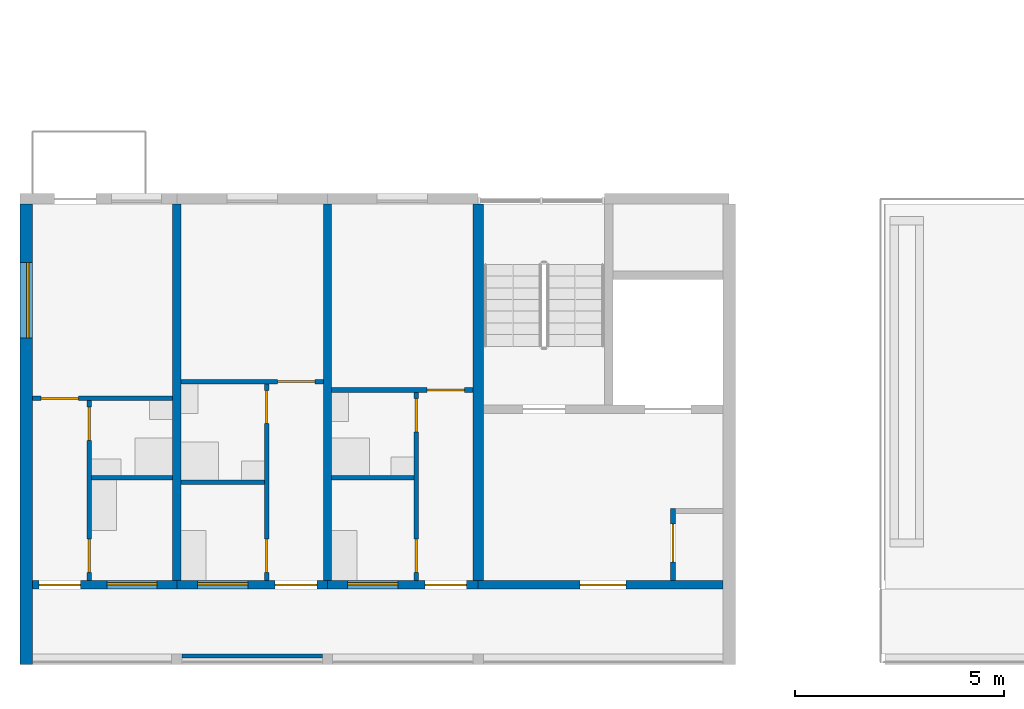
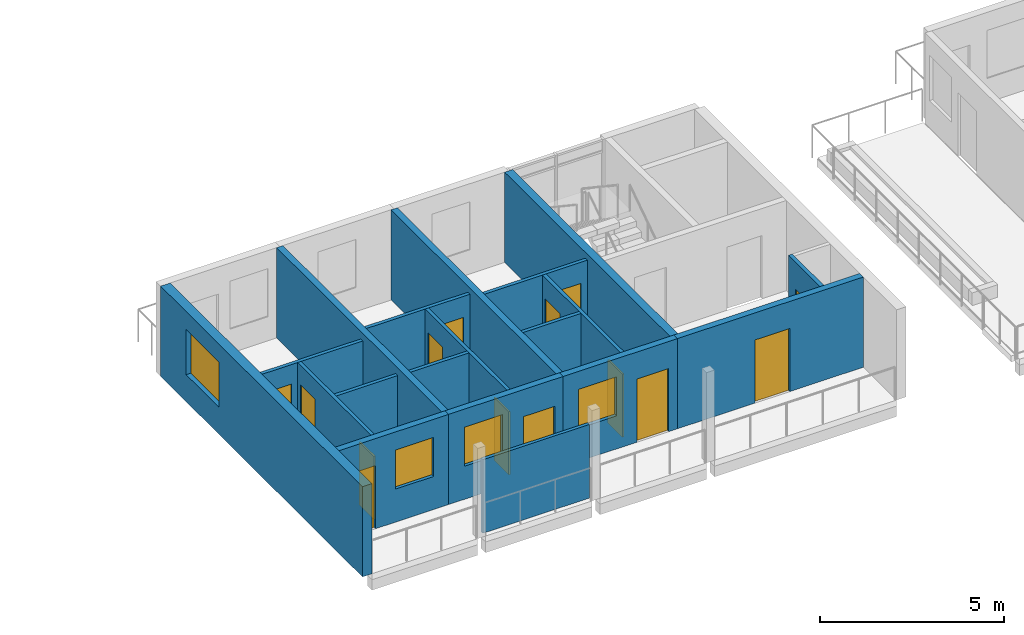
# One storey, part 23 of 64: 19 walls, 14 doors, 4 windows, 18 openings.
"""IFC4 building model written with IfcOpenShell, lengths in metres."""

from ifc_helpers import new_model, si_unit, direction, frame, frame_2d, origin, place, context, subcontext, project, spatial, rectangle, extrude, material, layer, layer_set, type_object, element, fill, save


model = new_model("IFC4")

# Units and contexts
model_context = context("Model", 3, precision=1e-05, world=origin(), true_north=direction((0.0, 1.0)))
body_context = subcontext(model_context, "Body", "Model", "MODEL_VIEW")
ifc_project = project(units=[si_unit("LENGTHUNIT", "METRE"), si_unit("AREAUNIT", "SQUARE_METRE"), si_unit("VOLUMEUNIT", "CUBIC_METRE"), si_unit("PLANEANGLEUNIT", "RADIAN"), si_unit("MASSUNIT", "GRAM", prefix="KILO")], contexts=[model_context])

# Site, building, storey
site_placement = place(None, origin())
site = spatial("IfcSite", under=ifc_project, at=site_placement, CompositionType="ELEMENT")
building_placement = place(site_placement, origin())
building = spatial("IfcBuilding", under=site, at=building_placement, Name="Ridgestep Commons", CompositionType="ELEMENT")
storey_placement = place(building_placement, frame((0.0, 0.0, 33.0)))
storey = spatial("IfcBuildingStorey", under=building, at=storey_placement, Name="L11", CompositionType="ELEMENT", Elevation=33.0)

# Wall
ifc_material_1 = material(Name="Concrete C30/37", Category="concrete")
ifc_layer_1 = layer(ifc_material_1, 0.25)
ifc_layer_set_1 = layer_set([ifc_layer_1], Name="Core cross wall 250")
wall_type_1 = type_object("IfcWallType", Name="Core cross wall 250", PredefinedType="SHEAR", material=ifc_layer_set_1)
wall_1_placement = place(storey_placement, frame((22.800048828125, 13.75, 0.0), z_axis=(0.0, 0.0, 1.0), x_axis=(0.0, 1.0, 0.0)))
element("IfcWall", 1, at=wall_1_placement, inside=storey, type_object=wall_type_1, Name="Cross wall A-11-0228", PredefinedType="SHEAR", context=body_context, shape_type="SweptSolid", body=[
    extrude(rectangle(XDim=9.0, YDim=0.25, at=frame_2d((4.5, 0.0))), origin(), (0.0, 0.0, 1.0), 3.0),
])

# Wall, opening, door
ifc_material_2 = material(Name="Concrete C30/37", Category="concrete")
ifc_layer_2 = layer(ifc_material_2, 0.199951171875)
ifc_layer_set_2 = layer_set([ifc_layer_2], Name="Core south wall 200")
wall_type_2 = type_object("IfcWallType", Name="Core south wall 200", PredefinedType="SHEAR", material=ifc_layer_set_2)
wall_2_placement = place(storey_placement, frame((22.800048828125, 13.64990234375, 0.0), z_axis=(0.0, 0.0, 1.0), x_axis=(1.0, 0.0, 0.0)))
wall_2 = element("IfcWall", 2, at=wall_2_placement, inside=storey, type_object=wall_type_2, Name="Core south wall A1C L11", PredefinedType="SHEAR", context=body_context, shape_type="SweptSolid", body=[
    extrude(rectangle(XDim=5.849853515625, YDim=0.199951171875, at=frame_2d((2.9248046875, 0.0))), origin(), (0.0, 0.0, 1.0), 3.0),
])
opening_1_placement = place(wall_2_placement, frame((2.4375, 0.0, 0.0)))
opening_1 = element("IfcOpeningElement", 3, at=opening_1_placement, cuts=wall_2, Name="Opening A1C/11/1", PredefinedType="OPENING", context=body_context, shape_type="SweptSolid", body=[
    extrude(rectangle(XDim=1.10009765625, YDim=2.10009765625, at=frame_2d((0.550048828125, 1.050048828125))), frame((0.0, 0.10986328125, 0.0), z_axis=(0.0, -1.0, 0.0), x_axis=(1.0, 0.0, 0.0)), (0.0, 0.0, 1.0), 0.219970703125),
])
ifc_material_3 = material(Name="Steel fire door", Category="steel")
door_type_1 = type_object("IfcDoorType", Name="Lobby door 1100 x 2100 FD60", OperationType="NOTDEFINED", PredefinedType="DOOR", material=ifc_material_3)
door_1_placement = place(opening_1_placement, origin())
door_1 = element("IfcDoor", 4, at=door_1_placement, inside=storey, type_object=door_type_1, Name="Lobby door A1C/11/1", OperationType="SINGLE_SWING_LEFT", OverallHeight=2.10009765625, OverallWidth=1.10009765625, PredefinedType="DOOR", context=body_context, shape_type="SweptSolid", body=[
    extrude(rectangle(XDim=1.10009765625, YDim=2.10009765625, at=frame_2d((0.550048828125, 1.050048828125))), frame((0.0, 0.02490234375, 0.0), z_axis=(0.0, -1.0, 0.0), x_axis=(1.0, 0.0, 0.0)), (0.0, 0.0, 1.0), 0.050048828125),
])
fill(opening_1, door_1)

ifc_material_4 = material(Name="Concrete C30/37", Category="concrete")
ifc_layer_3 = layer(ifc_material_4, 0.1201171875)
ifc_layer_set_3 = layer_set([ifc_layer_3], Name="Core wall 120")
wall_type_3 = type_object("IfcWallType", Name="Core wall 120", PredefinedType="SHEAR", material=ifc_layer_set_3)
wall_3_placement = place(storey_placement, frame((27.4599609375, 13.75, 0.0), z_axis=(0.0, 0.0, 1.0), x_axis=(0.0, 1.0, 0.0)))
wall_3 = element("IfcWall", 5, at=wall_3_placement, inside=storey, type_object=wall_type_3, Name="Core riser w wall A1C L11", PredefinedType="SHEAR", context=body_context, shape_type="SweptSolid", body=[
    extrude(rectangle(XDim=1.719970703125, YDim=0.1201171875, at=frame_2d((0.85986328125, 0.0))), origin(), (0.0, 0.0, 1.0), 3.0),
])
opening_2_placement = place(wall_3_placement, frame((0.449951171875, 0.0, 0.0)))
opening_2 = element("IfcOpeningElement", 6, at=opening_2_placement, cuts=wall_3, Name="Opening A1C/11/4", PredefinedType="OPENING", context=body_context, shape_type="SweptSolid", body=[
    extrude(rectangle(XDim=0.89990234375, YDim=2.10009765625, at=frame_2d((0.449951171875, 1.050048828125))), frame((0.0, 0.070068359375, 0.0), z_axis=(0.0, -1.0, 0.0), x_axis=(1.0, 0.0, 0.0)), (0.0, 0.0, 1.0), 0.14013671875),
])
ifc_material_5 = material(Name="Steel fire door", Category="steel")
door_type_2 = type_object("IfcDoorType", Name="Riser door 900 x 2100 FD60", OperationType="NOTDEFINED", PredefinedType="DOOR", material=ifc_material_5)
door_2_placement = place(opening_2_placement, origin())
door_2 = element("IfcDoor", 7, at=door_2_placement, inside=storey, type_object=door_type_2, Name="Riser door A1C/11/4", OperationType="SINGLE_SWING_LEFT", OverallHeight=2.10009765625, OverallWidth=0.89990234375, PredefinedType="DOOR", context=body_context, shape_type="SweptSolid", body=[
    extrude(rectangle(XDim=0.89990234375, YDim=2.10009765625, at=frame_2d((0.449951171875, 1.050048828125))), frame((0.0, 0.02490234375, 0.0), z_axis=(0.0, -1.0, 0.0), x_axis=(1.0, 0.0, 0.0)), (0.0, 0.0, 1.0), 0.050048828125),
])
fill(opening_2, door_2)

# Walls
ifc_material_6 = material(Name="Precast concrete C40/50", Category="concrete")
ifc_layer_4 = layer(ifc_material_6, 0.199951171875)
ifc_layer_set_4 = layer_set([ifc_layer_4], Name="Cross wall 200")
wall_type_4 = type_object("IfcWallType", Name="Cross wall 200", PredefinedType="SHEAR", material=ifc_layer_set_4)
for number, where, z_axis, x_axis, name in (
    (8, (15.60009765625, 13.75, 0.0), (0.0, 0.0, 1.0), (0.0, 1.0, 0.0), "Cross wall A-11-0156"),
    (9, (19.199951171875, 13.75, 0.0), (0.0, 0.0, 1.0), (0.0, 1.0, 0.0), "Cross wall A-11-0192"),
):
    element("IfcWall", number, at=place(storey_placement, frame(where, z_axis=z_axis, x_axis=x_axis)), inside=storey, type_object=wall_type_4, Name=name, PredefinedType="SHEAR", context=body_context, shape_type="SweptSolid", body=[
        extrude(rectangle(XDim=9.0, YDim=0.199951171875, at=frame_2d((4.5, 0.0))), origin(), (0.0, 0.0, 1.0), 3.0),
    ])

# Wall, opening, window
ifc_material_7 = material(Name="Precast concrete C40/50", Category="concrete")
ifc_layer_5 = layer(ifc_material_7, 0.300048828125)
ifc_layer_set_5 = layer_set([ifc_layer_5], Name="Exposed division wall 300")
wall_type_5 = type_object("IfcWallType", Name="Exposed division wall 300", PredefinedType="SHEAR", material=ifc_layer_set_5)
wall_4_placement = place(storey_placement, frame((12.0, 11.75, 0.0), z_axis=(0.0, 0.0, 1.0), x_axis=(0.0, 1.0, 0.0)))
wall_4 = element("IfcWall", 10, at=wall_4_placement, inside=storey, type_object=wall_type_5, Name="Cross wall A-11-0120", PredefinedType="SHEAR", context=body_context, shape_type="SweptSolid", body=[
    extrude(rectangle(XDim=11.0, YDim=0.300048828125, at=frame_2d((5.5, 0.0))), origin(), (0.0, 0.0, 1.0), 3.0),
])
opening_3_placement = place(wall_4_placement, frame((7.804931640625, 0.0, 0.89990234375)))
opening_3 = element("IfcOpeningElement", 11, at=opening_3_placement, cuts=wall_4, Name="Opening W20", PredefinedType="OPENING", context=body_context, shape_type="SweptSolid", body=[
    extrude(rectangle(XDim=1.800048828125, YDim=1.5, at=frame_2d((0.89990234375, 0.75))), frame((0.0, 0.159912109375, 0.0), z_axis=(0.0, -1.0, 0.0), x_axis=(1.0, 0.0, 0.0)), (0.0, 0.0, 1.0), 0.320068359375),
])
ifc_material_8 = material(Name="Aluminium 6063-T6 and glass", Category="aluminium")
window_type_1 = type_object("IfcWindowType", Name="Flat window 1800 x 1500", PartitioningType="DOUBLE_PANEL_VERTICAL", PredefinedType="WINDOW", material=ifc_material_8)
window_1_placement = place(opening_3_placement, origin())
window_1 = element("IfcWindow", 12, at=window_1_placement, inside=storey, type_object=window_type_1, Name="Window A1-11a 3", OverallHeight=1.5, OverallWidth=1.800048828125, PartitioningType="SINGLE_PANEL", PredefinedType="WINDOW", context=body_context, shape_type="SweptSolid", body=[
    extrude(rectangle(XDim=1.800048828125, YDim=1.5, at=frame_2d((0.89990234375, 0.75))), frame((0.0, 0.0, 0.0), z_axis=(0.0, -1.0, 0.0), x_axis=(1.0, 0.0, 0.0)), (0.0, 0.0, 1.0), 0.06005859375),
])
fill(opening_3, window_1)

# Wall, openings, doors
ifc_material_9 = material(Name="Common brick 110 mm", Category="masonry")
ifc_layer_6 = layer(ifc_material_9, 0.110107421875)
ifc_layer_set_6 = layer_set([ifc_layer_6], Name="Partition 110")
wall_type_6 = type_object("IfcWallType", Name="Partition 110", PredefinedType="PARTITIONING", material=ifc_layer_set_6)
wall_5_placement = place(storey_placement, frame((13.5048828125, 13.75, 0.0), z_axis=(0.0, 0.0, 1.0), x_axis=(0.0, 1.0, 0.0)))
wall_5 = element("IfcWall", 13, at=wall_5_placement, inside=storey, type_object=wall_type_6, Name="Partition A1-11a", PredefinedType="PARTITIONING", context=body_context, shape_type="SweptSolid", body=[
    extrude(rectangle(XDim=4.300048828125, YDim=0.110107421875, at=frame_2d((2.14990234375, 0.0))), origin(), (0.0, 0.0, 1.0), 2.75),
])
opening_4_placement = place(wall_5_placement, frame((0.199951171875, 0.0, 0.0)))
opening_4 = element("IfcOpeningElement", 14, at=opening_4_placement, cuts=wall_5, Name="Opening A1-11a/2", PredefinedType="OPENING", context=body_context, shape_type="SweptSolid", body=[
    extrude(rectangle(XDim=0.800048828125, YDim=2.10009765625, at=frame_2d((0.39990234375, 1.050048828125))), frame((0.0, 0.06494140625, 0.0), z_axis=(0.0, -1.0, 0.0), x_axis=(1.0, 0.0, 0.0)), (0.0, 0.0, 1.0), 0.130126953125),
])
opening_5_placement = place(wall_5_placement, frame((3.35009765625, 0.0, 0.0)))
opening_5 = element("IfcOpeningElement", 15, at=opening_5_placement, cuts=wall_5, Name="Opening A1-11a/3", PredefinedType="OPENING", context=body_context, shape_type="SweptSolid", body=[
    extrude(rectangle(XDim=0.800048828125, YDim=2.10009765625, at=frame_2d((0.39990234375, 1.050048828125))), frame((0.0, 0.06494140625, 0.0), z_axis=(0.0, -1.0, 0.0), x_axis=(1.0, 0.0, 0.0)), (0.0, 0.0, 1.0), 0.130126953125),
])
ifc_material_10 = material(Name="Timber door leaf", Category="wood")
door_type_3 = type_object("IfcDoorType", Name="Internal door 800 x 2100", OperationType="NOTDEFINED", PredefinedType="DOOR", material=ifc_material_10)
door_3_placement = place(opening_4_placement, origin())
door_3 = element("IfcDoor", 16, at=door_3_placement, inside=storey, type_object=door_type_3, Name="Internal door A1-11a/2", OperationType="SINGLE_SWING_RIGHT", OverallHeight=2.10009765625, OverallWidth=0.800048828125, PredefinedType="DOOR", context=body_context, shape_type="SweptSolid", body=[
    extrude(rectangle(XDim=0.800048828125, YDim=2.10009765625, at=frame_2d((0.39990234375, 1.050048828125))), frame((0.0, 0.02490234375, 0.0), z_axis=(0.0, -1.0, 0.0), x_axis=(1.0, 0.0, 0.0)), (0.0, 0.0, 1.0), 0.050048828125),
])
fill(opening_4, door_3)
door_4_placement = place(opening_5_placement, origin())
door_4 = element("IfcDoor", 17, at=door_4_placement, inside=storey, type_object=door_type_3, Name="Internal door A1-11a/3", OperationType="SINGLE_SWING_LEFT", OverallHeight=2.10009765625, OverallWidth=0.800048828125, PredefinedType="DOOR", context=body_context, shape_type="SweptSolid", body=[
    extrude(rectangle(XDim=0.800048828125, YDim=2.10009765625, at=frame_2d((0.39990234375, 1.050048828125))), frame((0.0, 0.02490234375, 0.0), z_axis=(0.0, -1.0, 0.0), x_axis=(1.0, 0.0, 0.0)), (0.0, 0.0, 1.0), 0.050048828125),
])
fill(opening_5, door_4)

# Wall
wall_6_placement = place(storey_placement, frame((13.56005859375, 16.205078125, 0.0), z_axis=(0.0, 0.0, 1.0), x_axis=(1.0, 0.0, 0.0)))
element("IfcWall", 18, at=wall_6_placement, inside=storey, type_object=wall_type_6, Name="Partition A1-11a", PredefinedType="PARTITIONING", context=body_context, shape_type="SweptSolid", body=[
    extrude(rectangle(XDim=1.93994140625, YDim=0.110107421875, at=frame_2d((0.969970703125, 0.0))), origin(), (0.0, 0.0, 1.0), 2.75),
])

# Wall, opening, door
wall_7_placement = place(storey_placement, frame((12.14990234375, 18.10498046875, 0.0), z_axis=(0.0, 0.0, 1.0), x_axis=(1.0, 0.0, 0.0)))
wall_7 = element("IfcWall", 19, at=wall_7_placement, inside=storey, type_object=wall_type_6, Name="Partition A1-11a", PredefinedType="PARTITIONING", context=body_context, shape_type="SweptSolid", body=[
    extrude(rectangle(XDim=3.35009765625, YDim=0.110107421875, at=frame_2d((1.675048828125, 0.0))), origin(), (0.0, 0.0, 1.0), 2.75),
])
opening_6_placement = place(wall_7_placement, frame((0.199951171875, 0.0, 0.0)))
opening_6 = element("IfcOpeningElement", 20, at=opening_6_placement, cuts=wall_7, Name="Opening A1-11a/4", PredefinedType="OPENING", context=body_context, shape_type="SweptSolid", body=[
    extrude(rectangle(XDim=0.89990234375, YDim=2.10009765625, at=frame_2d((0.449951171875, 1.050048828125))), frame((0.0, 0.06494140625, 0.0), z_axis=(0.0, -1.0, 0.0), x_axis=(1.0, 0.0, 0.0)), (0.0, 0.0, 1.0), 0.130126953125),
])
ifc_material_11 = material(Name="Timber door leaf", Category="wood")
door_type_4 = type_object("IfcDoorType", Name="Internal door 900 x 2100", OperationType="NOTDEFINED", PredefinedType="DOOR", material=ifc_material_11)
door_5_placement = place(opening_6_placement, origin())
door_5 = element("IfcDoor", 21, at=door_5_placement, inside=storey, type_object=door_type_4, Name="Internal door A1-11a/4", OperationType="SINGLE_SWING_LEFT", OverallHeight=2.10009765625, OverallWidth=0.89990234375, PredefinedType="DOOR", context=body_context, shape_type="SweptSolid", body=[
    extrude(rectangle(XDim=0.89990234375, YDim=2.10009765625, at=frame_2d((0.449951171875, 1.050048828125))), frame((0.0, 0.02490234375, 0.0), z_axis=(0.0, -1.0, 0.0), x_axis=(1.0, 0.0, 0.0)), (0.0, 0.0, 1.0), 0.050048828125),
])
fill(opening_6, door_5)

# Wall
wall_8_placement = place(storey_placement, frame((15.699951171875, 16.10498046875, 0.0), z_axis=(0.0, 0.0, 1.0), x_axis=(1.0, 0.0, 0.0)))
element("IfcWall", 22, at=wall_8_placement, inside=storey, type_object=wall_type_6, Name="Partition A1-11b", PredefinedType="PARTITIONING", context=body_context, shape_type="SweptSolid", body=[
    extrude(rectangle(XDim=1.989990234375, YDim=0.110107421875, at=frame_2d((0.9951171875, 0.0))), origin(), (0.0, 0.0, 1.0), 2.800048828125),
])

# Wall, openings, doors
wall_9_placement = place(storey_placement, frame((17.7451171875, 13.75, 0.0), z_axis=(0.0, 0.0, 1.0), x_axis=(0.0, 1.0, 0.0)))
wall_9 = element("IfcWall", 23, at=wall_9_placement, inside=storey, type_object=wall_type_6, Name="Partition A1-11b", PredefinedType="PARTITIONING", context=body_context, shape_type="SweptSolid", body=[
    extrude(rectangle(XDim=4.699951171875, YDim=0.110107421875, at=frame_2d((2.35009765625, 0.0))), origin(), (0.0, 0.0, 1.0), 2.800048828125),
])
opening_7_placement = place(wall_9_placement, frame((0.199951171875, 0.0, 0.0)))
opening_7 = element("IfcOpeningElement", 24, at=opening_7_placement, cuts=wall_9, Name="Opening A1-11b/2", PredefinedType="OPENING", context=body_context, shape_type="SweptSolid", body=[
    extrude(rectangle(XDim=0.800048828125, YDim=2.10009765625, at=frame_2d((0.39990234375, 1.050048828125))), frame((0.0, 0.06494140625, 0.0), z_axis=(0.0, -1.0, 0.0), x_axis=(1.0, 0.0, 0.0)), (0.0, 0.0, 1.0), 0.130126953125),
])
opening_8_placement = place(wall_9_placement, frame((3.75, 0.0, 0.0)))
opening_8 = element("IfcOpeningElement", 25, at=opening_8_placement, cuts=wall_9, Name="Opening A1-11b/3", PredefinedType="OPENING", context=body_context, shape_type="SweptSolid", body=[
    extrude(rectangle(XDim=0.800048828125, YDim=2.10009765625, at=frame_2d((0.39990234375, 1.050048828125))), frame((0.0, 0.06494140625, 0.0), z_axis=(0.0, -1.0, 0.0), x_axis=(1.0, 0.0, 0.0)), (0.0, 0.0, 1.0), 0.130126953125),
])
door_6_placement = place(opening_7_placement, origin())
door_6 = element("IfcDoor", 26, at=door_6_placement, inside=storey, type_object=door_type_3, Name="Internal door A1-11b/2", OperationType="SINGLE_SWING_LEFT", OverallHeight=2.10009765625, OverallWidth=0.800048828125, PredefinedType="DOOR", context=body_context, shape_type="SweptSolid", body=[
    extrude(rectangle(XDim=0.800048828125, YDim=2.10009765625, at=frame_2d((0.39990234375, 1.050048828125))), frame((0.0, 0.02490234375, 0.0), z_axis=(0.0, -1.0, 0.0), x_axis=(1.0, 0.0, 0.0)), (0.0, 0.0, 1.0), 0.050048828125),
])
fill(opening_7, door_6)
door_7_placement = place(opening_8_placement, origin())
door_7 = element("IfcDoor", 27, at=door_7_placement, inside=storey, type_object=door_type_3, Name="Internal door A1-11b/3", OperationType="SINGLE_SWING_RIGHT", OverallHeight=2.10009765625, OverallWidth=0.800048828125, PredefinedType="DOOR", context=body_context, shape_type="SweptSolid", body=[
    extrude(rectangle(XDim=0.800048828125, YDim=2.10009765625, at=frame_2d((0.39990234375, 1.050048828125))), frame((0.0, 0.02490234375, 0.0), z_axis=(0.0, -1.0, 0.0), x_axis=(1.0, 0.0, 0.0)), (0.0, 0.0, 1.0), 0.050048828125),
])
fill(opening_8, door_7)

# Wall, opening, door
wall_10_placement = place(storey_placement, frame((15.699951171875, 18.5048828125, 0.0), z_axis=(0.0, 0.0, 1.0), x_axis=(1.0, 0.0, 0.0)))
wall_10 = element("IfcWall", 28, at=wall_10_placement, inside=storey, type_object=wall_type_6, Name="Partition A1-11b", PredefinedType="PARTITIONING", context=body_context, shape_type="SweptSolid", body=[
    extrude(rectangle(XDim=3.400146484375, YDim=0.110107421875, at=frame_2d((1.7001953125, 0.0))), origin(), (0.0, 0.0, 1.0), 2.800048828125),
])
opening_9_placement = place(wall_10_placement, frame((2.300048828125, 0.0, 0.0)))
opening_9 = element("IfcOpeningElement", 29, at=opening_9_placement, cuts=wall_10, Name="Opening A1-11b/4", PredefinedType="OPENING", context=body_context, shape_type="SweptSolid", body=[
    extrude(rectangle(XDim=0.89990234375, YDim=2.10009765625, at=frame_2d((0.449951171875, 1.050048828125))), frame((0.0, 0.06494140625, 0.0), z_axis=(0.0, -1.0, 0.0), x_axis=(1.0, 0.0, 0.0)), (0.0, 0.0, 1.0), 0.130126953125),
])
door_8_placement = place(opening_9_placement, origin())
door_8 = element("IfcDoor", 30, at=door_8_placement, inside=storey, type_object=door_type_4, Name="Internal door A1-11b/4", OperationType="SINGLE_SWING_LEFT", OverallHeight=2.10009765625, OverallWidth=0.89990234375, PredefinedType="DOOR", context=body_context, shape_type="SweptSolid", body=[
    extrude(rectangle(XDim=0.89990234375, YDim=2.10009765625, at=frame_2d((0.449951171875, 1.050048828125))), frame((0.0, 0.02490234375, 0.0), z_axis=(0.0, -1.0, 0.0), x_axis=(1.0, 0.0, 0.0)), (0.0, 0.0, 1.0), 0.050048828125),
])
fill(opening_9, door_8)

# Wall
wall_11_placement = place(storey_placement, frame((19.300048828125, 16.205078125, 0.0), z_axis=(0.0, 0.0, 1.0), x_axis=(1.0, 0.0, 0.0)))
element("IfcWall", 31, at=wall_11_placement, inside=storey, type_object=wall_type_6, Name="Partition A1-11c", PredefinedType="PARTITIONING", context=body_context, shape_type="SweptSolid", body=[
    extrude(rectangle(XDim=1.96484375, YDim=0.110107421875, at=frame_2d((0.982421875, 0.0))), origin(), (0.0, 0.0, 1.0), 2.800048828125),
])

# Wall, openings, doors
wall_12_placement = place(storey_placement, frame((21.320068359375, 13.75, 0.0), z_axis=(0.0, 0.0, 1.0), x_axis=(0.0, 1.0, 0.0)))
wall_12 = element("IfcWall", 32, at=wall_12_placement, inside=storey, type_object=wall_type_6, Name="Partition A1-11c", PredefinedType="PARTITIONING", context=body_context, shape_type="SweptSolid", body=[
    extrude(rectangle(XDim=4.5, YDim=0.110107421875, at=frame_2d((2.25, 0.0))), origin(), (0.0, 0.0, 1.0), 2.800048828125),
])
opening_10_placement = place(wall_12_placement, frame((0.199951171875, 0.0, 0.0)))
opening_10 = element("IfcOpeningElement", 33, at=opening_10_placement, cuts=wall_12, Name="Opening A1-11c/2", PredefinedType="OPENING", context=body_context, shape_type="SweptSolid", body=[
    extrude(rectangle(XDim=0.800048828125, YDim=2.10009765625, at=frame_2d((0.39990234375, 1.050048828125))), frame((0.0, 0.06494140625, 0.0), z_axis=(0.0, -1.0, 0.0), x_axis=(1.0, 0.0, 0.0)), (0.0, 0.0, 1.0), 0.130126953125),
])
opening_11_placement = place(wall_12_placement, frame((3.550048828125, 0.0, 0.0)))
opening_11 = element("IfcOpeningElement", 34, at=opening_11_placement, cuts=wall_12, Name="Opening A1-11c/3", PredefinedType="OPENING", context=body_context, shape_type="SweptSolid", body=[
    extrude(rectangle(XDim=0.800048828125, YDim=2.10009765625, at=frame_2d((0.39990234375, 1.050048828125))), frame((0.0, 0.06494140625, 0.0), z_axis=(0.0, -1.0, 0.0), x_axis=(1.0, 0.0, 0.0)), (0.0, 0.0, 1.0), 0.130126953125),
])
door_9_placement = place(opening_10_placement, origin())
door_9 = element("IfcDoor", 35, at=door_9_placement, inside=storey, type_object=door_type_3, Name="Internal door A1-11c/2", OperationType="SINGLE_SWING_LEFT", OverallHeight=2.10009765625, OverallWidth=0.800048828125, PredefinedType="DOOR", context=body_context, shape_type="SweptSolid", body=[
    extrude(rectangle(XDim=0.800048828125, YDim=2.10009765625, at=frame_2d((0.39990234375, 1.050048828125))), frame((0.0, 0.02490234375, 0.0), z_axis=(0.0, -1.0, 0.0), x_axis=(1.0, 0.0, 0.0)), (0.0, 0.0, 1.0), 0.050048828125),
])
fill(opening_10, door_9)
door_10_placement = place(opening_11_placement, origin())
door_10 = element("IfcDoor", 36, at=door_10_placement, inside=storey, type_object=door_type_3, Name="Internal door A1-11c/3", OperationType="SINGLE_SWING_RIGHT", OverallHeight=2.10009765625, OverallWidth=0.800048828125, PredefinedType="DOOR", context=body_context, shape_type="SweptSolid", body=[
    extrude(rectangle(XDim=0.800048828125, YDim=2.10009765625, at=frame_2d((0.39990234375, 1.050048828125))), frame((0.0, 0.02490234375, 0.0), z_axis=(0.0, -1.0, 0.0), x_axis=(1.0, 0.0, 0.0)), (0.0, 0.0, 1.0), 0.050048828125),
])
fill(opening_11, door_10)

# Wall, opening, door
wall_13_placement = place(storey_placement, frame((19.300048828125, 18.304931640625, 0.0), z_axis=(0.0, 0.0, 1.0), x_axis=(1.0, 0.0, 0.0)))
wall_13 = element("IfcWall", 37, at=wall_13_placement, inside=storey, type_object=wall_type_6, Name="Partition A1-11c", PredefinedType="PARTITIONING", context=body_context, shape_type="SweptSolid", body=[
    extrude(rectangle(XDim=3.375, YDim=0.110107421875, at=frame_2d((1.6875, 0.0))), origin(), (0.0, 0.0, 1.0), 2.800048828125),
])
opening_12_placement = place(wall_13_placement, frame((2.27490234375, 0.0, 0.0)))
opening_12 = element("IfcOpeningElement", 38, at=opening_12_placement, cuts=wall_13, Name="Opening A1-11c/4", PredefinedType="OPENING", context=body_context, shape_type="SweptSolid", body=[
    extrude(rectangle(XDim=0.89990234375, YDim=2.10009765625, at=frame_2d((0.449951171875, 1.050048828125))), frame((0.0, 0.06494140625, 0.0), z_axis=(0.0, -1.0, 0.0), x_axis=(1.0, 0.0, 0.0)), (0.0, 0.0, 1.0), 0.130126953125),
])
door_11_placement = place(opening_12_placement, origin())
door_11 = element("IfcDoor", 39, at=door_11_placement, inside=storey, type_object=door_type_4, Name="Internal door A1-11c/4", OperationType="SINGLE_SWING_LEFT", OverallHeight=2.10009765625, OverallWidth=0.89990234375, PredefinedType="DOOR", context=body_context, shape_type="SweptSolid", body=[
    extrude(rectangle(XDim=0.89990234375, YDim=2.10009765625, at=frame_2d((0.449951171875, 1.050048828125))), frame((0.0, 0.02490234375, 0.0), z_axis=(0.0, -1.0, 0.0), x_axis=(1.0, 0.0, 0.0)), (0.0, 0.0, 1.0), 0.050048828125),
])
fill(opening_12, door_11)

# Wall
ifc_material_12 = material(Name="Precast concrete C30/37", Category="concrete")
ifc_layer_7 = layer(ifc_material_12, 0.10009765625)
ifc_layer_set_7 = layer_set([ifc_layer_7], Name="Perforated gallery screen 3350 x 2450 x 100")
wall_type_7 = type_object("IfcWallType", Name="Perforated gallery screen 3350 x 2450 x 100", PredefinedType="SOLIDWALL", material=ifc_layer_set_7)
wall_14_placement = place(storey_placement, frame((15.72509765625, 11.949951171875, 0.0), z_axis=(0.0, 0.0, 1.0), x_axis=(1.0, 0.0, 0.0)))
element("IfcWall", 40, at=wall_14_placement, inside=storey, type_object=wall_type_7, Name="Gallery screen A1T2 11", PredefinedType="SOLIDWALL", context=body_context, shape_type="SweptSolid", body=[
    extrude(rectangle(XDim=3.349853515625, YDim=0.10009765625, at=frame_2d((1.6748046875, 0.0))), origin(), (0.0, 0.0, 1.0), 2.449951171875),
])

# Wall, openings, door, window
ifc_material_13 = material(Name="Precast concrete C40/50", Category="concrete")
ifc_layer_8 = layer(ifc_material_13, 0.199951171875)
ifc_layer_set_8 = layer_set([ifc_layer_8], Name="South facade panel 200")
wall_type_8 = type_object("IfcWallType", Name="South facade panel 200", PredefinedType="SOLIDWALL", material=ifc_layer_set_8)
wall_15_placement = place(storey_placement, frame((12.14990234375, 13.64990234375, 0.0), z_axis=(0.0, 0.0, 1.0), x_axis=(1.0, 0.0, 0.0)))
wall_15 = element("IfcWall", 41, at=wall_15_placement, inside=storey, type_object=wall_type_8, Name="South panel A1T1 L11", PredefinedType="SOLIDWALL", context=body_context, shape_type="SweptSolid", body=[
    extrude(rectangle(XDim=3.4501953125, YDim=0.199951171875, at=frame_2d((1.72509765625, 0.0))), origin(), (0.0, 0.0, 1.0), 3.0),
])
opening_13_placement = place(wall_15_placement, frame((1.780029296875, 0.0, 1.10009765625)))
opening_13 = element("IfcOpeningElement", 42, at=opening_13_placement, cuts=wall_15, Name="Opening W08", PredefinedType="OPENING", context=body_context, shape_type="SweptSolid", body=[
    extrude(rectangle(XDim=1.199951171875, YDim=1.300048828125, at=frame_2d((0.60009765625, 0.64990234375))), frame((0.0, 0.10986328125, 0.0), z_axis=(0.0, -1.0, 0.0), x_axis=(1.0, 0.0, 0.0)), (0.0, 0.0, 1.0), 0.219970703125),
])
opening_14_placement = place(wall_15_placement, frame((0.14990234375, 0.0, 0.0)))
opening_14 = element("IfcOpeningElement", 43, at=opening_14_placement, cuts=wall_15, Name="Opening A1-11a/1", PredefinedType="OPENING", context=body_context, shape_type="SweptSolid", body=[
    extrude(rectangle(XDim=1.0, YDim=2.10009765625, at=frame_2d((0.5, 1.050048828125))), frame((0.0, 0.10986328125, 0.0), z_axis=(0.0, -1.0, 0.0), x_axis=(1.0, 0.0, 0.0)), (0.0, 0.0, 1.0), 0.219970703125),
])
ifc_material_14 = material(Name="Timber door leaf", Category="wood")
door_type_5 = type_object("IfcDoorType", Name="Flat entrance door 1000 x 2100 FD30S", OperationType="NOTDEFINED", PredefinedType="DOOR", material=ifc_material_14)
door_12_placement = place(opening_14_placement, origin())
door_12 = element("IfcDoor", 44, at=door_12_placement, inside=storey, type_object=door_type_5, Name="Flat entrance door A1-11a/1", OperationType="SINGLE_SWING_LEFT", OverallHeight=2.10009765625, OverallWidth=1.0, PredefinedType="DOOR", context=body_context, shape_type="SweptSolid", body=[
    extrude(rectangle(XDim=1.0, YDim=2.10009765625, at=frame_2d((0.5, 1.050048828125))), frame((0.0, 0.02490234375, 0.0), z_axis=(0.0, -1.0, 0.0), x_axis=(1.0, 0.0, 0.0)), (0.0, 0.0, 1.0), 0.050048828125),
])
fill(opening_14, door_12)
ifc_material_15 = material(Name="Aluminium 6063-T6 and glass", Category="aluminium")
window_type_2 = type_object("IfcWindowType", Name="Flat window 1200 x 1300", PartitioningType="SINGLE_PANEL", PredefinedType="WINDOW", material=ifc_material_15)
window_2_placement = place(opening_13_placement, origin())
window_2 = element("IfcWindow", 45, at=window_2_placement, inside=storey, type_object=window_type_2, Name="Window A1-11a 1", OverallHeight=1.300048828125, OverallWidth=1.199951171875, PartitioningType="SINGLE_PANEL", PredefinedType="WINDOW", context=body_context, shape_type="SweptSolid", body=[
    extrude(rectangle(XDim=1.199951171875, YDim=1.300048828125, at=frame_2d((0.60009765625, 0.64990234375))), frame((0.0, 0.06005859375, 0.0), z_axis=(0.0, -1.0, 0.0), x_axis=(1.0, 0.0, 0.0)), (0.0, 0.0, 1.0), 0.06005859375),
])
fill(opening_13, window_2)

wall_16_placement = place(storey_placement, frame((15.60009765625, 13.64990234375, 0.0), z_axis=(0.0, 0.0, 1.0), x_axis=(1.0, 0.0, 0.0)))
wall_16 = element("IfcWall", 46, at=wall_16_placement, inside=storey, type_object=wall_type_8, Name="South panel A1T2 L11", PredefinedType="SOLIDWALL", context=body_context, shape_type="SweptSolid", body=[
    extrude(rectangle(XDim=3.599853515625, YDim=0.199951171875, at=frame_2d((1.7998046875, 0.0))), origin(), (0.0, 0.0, 1.0), 3.0),
])
opening_15_placement = place(wall_16_placement, frame((0.4951171875, 0.0, 1.10009765625)))
opening_15 = element("IfcOpeningElement", 47, at=opening_15_placement, cuts=wall_16, Name="Opening W08", PredefinedType="OPENING", context=body_context, shape_type="SweptSolid", body=[
    extrude(rectangle(XDim=1.199951171875, YDim=1.300048828125, at=frame_2d((0.60009765625, 0.64990234375))), frame((0.0, 0.10986328125, 0.0), z_axis=(0.0, -1.0, 0.0), x_axis=(1.0, 0.0, 0.0)), (0.0, 0.0, 1.0), 0.219970703125),
])
opening_16_placement = place(wall_16_placement, frame((2.35009765625, 0.0, 0.0)))
opening_16 = element("IfcOpeningElement", 48, at=opening_16_placement, cuts=wall_16, Name="Opening A1-11b/1", PredefinedType="OPENING", context=body_context, shape_type="SweptSolid", body=[
    extrude(rectangle(XDim=1.0, YDim=2.10009765625, at=frame_2d((0.5, 1.050048828125))), frame((0.0, 0.10986328125, 0.0), z_axis=(0.0, -1.0, 0.0), x_axis=(1.0, 0.0, 0.0)), (0.0, 0.0, 1.0), 0.219970703125),
])
door_13_placement = place(opening_16_placement, origin())
door_13 = element("IfcDoor", 49, at=door_13_placement, inside=storey, type_object=door_type_5, Name="Flat entrance door A1-11b/1", OperationType="SINGLE_SWING_RIGHT", OverallHeight=2.10009765625, OverallWidth=1.0, PredefinedType="DOOR", context=body_context, shape_type="SweptSolid", body=[
    extrude(rectangle(XDim=1.0, YDim=2.10009765625, at=frame_2d((0.5, 1.050048828125))), frame((0.0, 0.02490234375, 0.0), z_axis=(0.0, -1.0, 0.0), x_axis=(1.0, 0.0, 0.0)), (0.0, 0.0, 1.0), 0.050048828125),
])
fill(opening_16, door_13)
window_3_placement = place(opening_15_placement, origin())
window_3 = element("IfcWindow", 50, at=window_3_placement, inside=storey, type_object=window_type_2, Name="Window A1-11b 1", OverallHeight=1.300048828125, OverallWidth=1.199951171875, PartitioningType="SINGLE_PANEL", PredefinedType="WINDOW", context=body_context, shape_type="SweptSolid", body=[
    extrude(rectangle(XDim=1.199951171875, YDim=1.300048828125, at=frame_2d((0.60009765625, 0.64990234375))), frame((0.0, 0.06005859375, 0.0), z_axis=(0.0, -1.0, 0.0), x_axis=(1.0, 0.0, 0.0)), (0.0, 0.0, 1.0), 0.06005859375),
])
fill(opening_15, window_3)

wall_17_placement = place(storey_placement, frame((19.199951171875, 13.64990234375, 0.0), z_axis=(0.0, 0.0, 1.0), x_axis=(1.0, 0.0, 0.0)))
wall_17 = element("IfcWall", 51, at=wall_17_placement, inside=storey, type_object=wall_type_8, Name="South panel A1T3 L11", PredefinedType="SOLIDWALL", context=body_context, shape_type="SweptSolid", body=[
    extrude(rectangle(XDim=3.60009765625, YDim=0.199951171875, at=frame_2d((1.800048828125, 0.0))), origin(), (0.0, 0.0, 1.0), 3.0),
])
opening_17_placement = place(wall_17_placement, frame((0.482421875, 0.0, 1.10009765625)))
opening_17 = element("IfcOpeningElement", 52, at=opening_17_placement, cuts=wall_17, Name="Opening W08", PredefinedType="OPENING", context=body_context, shape_type="SweptSolid", body=[
    extrude(rectangle(XDim=1.199951171875, YDim=1.300048828125, at=frame_2d((0.60009765625, 0.64990234375))), frame((0.0, 0.10986328125, 0.0), z_axis=(0.0, -1.0, 0.0), x_axis=(1.0, 0.0, 0.0)), (0.0, 0.0, 1.0), 0.219970703125),
])
opening_18_placement = place(wall_17_placement, frame((2.324951171875, 0.0, 0.0)))
opening_18 = element("IfcOpeningElement", 53, at=opening_18_placement, cuts=wall_17, Name="Opening A1-11c/1", PredefinedType="OPENING", context=body_context, shape_type="SweptSolid", body=[
    extrude(rectangle(XDim=1.0, YDim=2.10009765625, at=frame_2d((0.5, 1.050048828125))), frame((0.0, 0.10986328125, 0.0), z_axis=(0.0, -1.0, 0.0), x_axis=(1.0, 0.0, 0.0)), (0.0, 0.0, 1.0), 0.219970703125),
])
door_14_placement = place(opening_18_placement, origin())
door_14 = element("IfcDoor", 54, at=door_14_placement, inside=storey, type_object=door_type_5, Name="Flat entrance door A1-11c/1", OperationType="SINGLE_SWING_RIGHT", OverallHeight=2.10009765625, OverallWidth=1.0, PredefinedType="DOOR", context=body_context, shape_type="SweptSolid", body=[
    extrude(rectangle(XDim=1.0, YDim=2.10009765625, at=frame_2d((0.5, 1.050048828125))), frame((0.0, 0.02490234375, 0.0), z_axis=(0.0, -1.0, 0.0), x_axis=(1.0, 0.0, 0.0)), (0.0, 0.0, 1.0), 0.050048828125),
])
fill(opening_18, door_14)
window_4_placement = place(opening_17_placement, origin())
window_4 = element("IfcWindow", 55, at=window_4_placement, inside=storey, type_object=window_type_2, Name="Window A1-11c 1", OverallHeight=1.300048828125, OverallWidth=1.199951171875, PartitioningType="SINGLE_PANEL", PredefinedType="WINDOW", context=body_context, shape_type="SweptSolid", body=[
    extrude(rectangle(XDim=1.199951171875, YDim=1.300048828125, at=frame_2d((0.60009765625, 0.64990234375))), frame((0.0, 0.06005859375, 0.0), z_axis=(0.0, -1.0, 0.0), x_axis=(1.0, 0.0, 0.0)), (0.0, 0.0, 1.0), 0.06005859375),
])
fill(opening_17, window_4)

save(model, "model.ifc")
